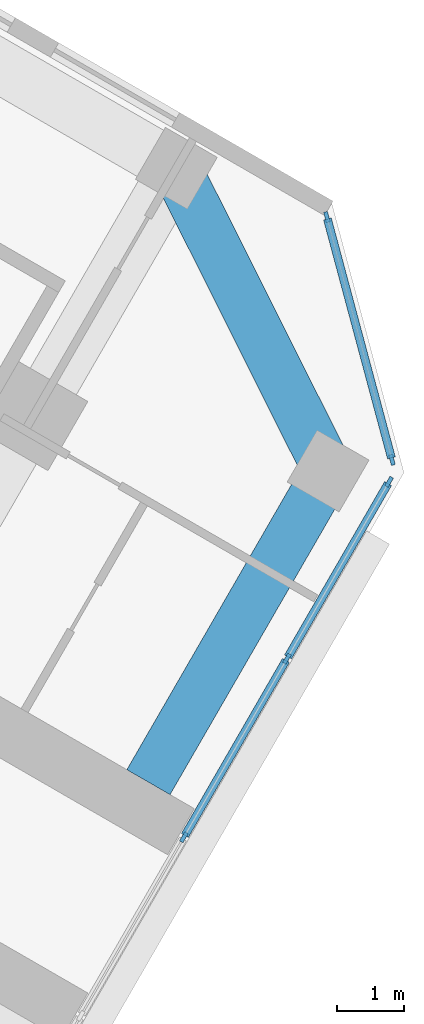
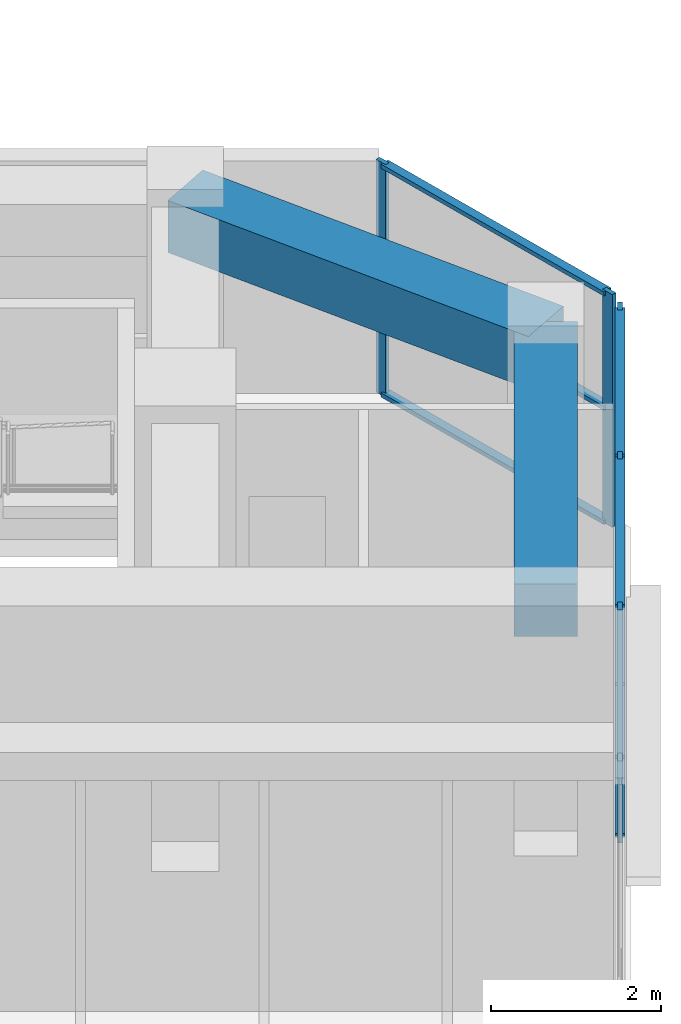
# One storey, part 8 of 19: 12 members, 2 beams, 2 elements without a shape of their own.
"""IFC4 building model written with IfcOpenShell, lengths in metres."""

from ifc_helpers import new_model, si_unit, direction, frame, origin, origin_2d, place, context, subcontext, project, spatial, rectangle, extrude, material, material_profile, profile_set, type_object, element, aggregate, save


model = new_model("IFC4")

# Units and contexts
model_context = context("Model", 3, precision=1e-05, world=origin(), true_north=direction((0.0, 1.0)))
body_context = subcontext(model_context, "Body", "Model", "MODEL_VIEW")
ifc_project = project(units=[si_unit("LENGTHUNIT", "METRE"), si_unit("AREAUNIT", "SQUARE_METRE"), si_unit("VOLUMEUNIT", "CUBIC_METRE"), si_unit("PLANEANGLEUNIT", "RADIAN"), si_unit("MASSUNIT", "GRAM", prefix="KILO")], contexts=[model_context])

# Site, building, storey
site_placement = place(None, origin())
site = spatial("IfcSite", under=ifc_project, at=site_placement, CompositionType="ELEMENT")
building_placement = place(site_placement, origin())
building = spatial("IfcBuilding", under=site, at=building_placement, Name="Kosmar Iwan School Tower", CompositionType="ELEMENT")
storey_placement = place(building_placement, frame((0.0, 0.0, 149.0)))
storey = spatial("IfcBuildingStorey", under=building, at=storey_placement, Name="L37", CompositionType="ELEMENT", Elevation=149.0)

# Curtain wall, members
ifc_material_1 = material(Name="Dark glass in black aluminium frame", Category="aluminium")
curtain_wall_type_1 = type_object("IfcCurtainWallType", Name="Tower curtain wall dark glass", PredefinedType="USERDEFINED", material=ifc_material_1)
curtain_wall_1_placement = place(storey_placement, origin())
curtain_wall_1 = element("IfcCurtainWall", 1, at=curtain_wall_1_placement, inside=storey, type_object=curtain_wall_type_1, Name="Curtain wall L37-F03", ObjectType="UNITISED CURTAIN WALL", PredefinedType="USERDEFINED")
ifc_material_2 = material(Name="Black anodised aluminium", Category="aluminium")
ifc_material_profile_1 = material_profile(ifc_material_2, rectangle(XDim=0.06005859375, YDim=0.159912109375, at=origin_2d()), Name="MULLION 60x160")
ifc_profile_set_1 = profile_set([ifc_material_profile_1], Name="Black anodised aluminium")
member_type_1 = type_object("IfcMemberType", Name="Mullion 60x160", PredefinedType="MULLION", material=ifc_profile_set_1)
member_1_placement = place(storey_placement, frame((30.631103515625, -15.8955078125, 0.0), z_axis=(0.0, 0.0, 1.0), x_axis=(-0.866025405329, 0.499999997325, 0.0)))
member_1 = element("IfcMember", 2, at=member_1_placement, type_object=member_type_1, Name="CW1 mullion 4", PredefinedType="MULLION", context=body_context, shape_type="SweptSolid", body=[
    extrude(rectangle(XDim=0.06005859375, YDim=0.159912109375, at=origin_2d()), origin(), (0.0, 0.0, 1.0), 3.35009765625),
])
member_2_placement = place(storey_placement, frame((32.1806640625, -13.21142578125, 0.0), z_axis=(0.0, 0.0, 1.0), x_axis=(-0.866025405329, 0.499999997325, 0.0)))
member_2 = element("IfcMember", 3, at=member_2_placement, type_object=member_type_1, Name="CW1 mullion 5", PredefinedType="MULLION", context=body_context, shape_type="SweptSolid", body=[
    extrude(rectangle(XDim=0.06005859375, YDim=0.159912109375, at=origin_2d()), origin(), (0.0, 0.0, 1.0), 3.35009765625),
])
member_3_placement = place(storey_placement, frame((33.71533203125, -10.55322265625, 0.0), z_axis=(0.0, 0.0, 1.0), x_axis=(-0.866025405329, 0.499999997325, 0.0)))
member_3 = element("IfcMember", 4, at=member_3_placement, type_object=member_type_1, Name="CW1 mullion 6", PredefinedType="MULLION", context=body_context, shape_type="SweptSolid", body=[
    extrude(rectangle(XDim=0.06005859375, YDim=0.159912109375, at=origin_2d()), origin(), (0.0, 0.0, 1.0), 3.35009765625),
])

ifc_material_3 = material(Name="Dark glass in black aluminium frame", Category="aluminium")
curtain_wall_type_2 = type_object("IfcCurtainWallType", Name="Chamfer curtain wall dark glass", PredefinedType="USERDEFINED", material=ifc_material_3)
curtain_wall_2_placement = place(storey_placement, origin())
curtain_wall_2 = element("IfcCurtainWall", 5, at=curtain_wall_2_placement, inside=storey, type_object=curtain_wall_type_2, Name="Curtain wall L37-F04", ObjectType="FACETED CURTAIN WALL", PredefinedType="USERDEFINED")
member_4_placement = place(storey_placement, frame((33.7587890625, -10.2236328125, 0.0), z_axis=(0.0, 0.0, 1.0), x_axis=(-0.965925875495, -0.258818861462, 0.0)))
member_4 = element("IfcMember", 6, at=member_4_placement, type_object=member_type_1, Name="CW2 mullion 1", PredefinedType="MULLION", context=body_context, shape_type="SweptSolid", body=[
    extrude(rectangle(XDim=0.06005859375, YDim=0.159912109375, at=origin_2d()), origin(), (0.0, 0.0, 1.0), 3.35009765625),
])
member_5_placement = place(storey_placement, frame((32.78076171875, -6.5732421875, 0.0), z_axis=(0.0, 0.0, 1.0), x_axis=(-0.965925875495, -0.258818861462, 0.0)))
member_5 = element("IfcMember", 7, at=member_5_placement, type_object=member_type_1, Name="CW2 mullion 2", PredefinedType="MULLION", context=body_context, shape_type="SweptSolid", body=[
    extrude(rectangle(XDim=0.06005859375, YDim=0.159912109375, at=origin_2d()), origin(), (0.0, 0.0, 1.0), 3.35009765625),
])

# Beams
ifc_material_4 = material(Name="Concrete C50/60", Category="concrete")
ifc_material_profile_2 = material_profile(ifc_material_4, rectangle(XDim=0.75, YDim=0.75, at=origin_2d()), Name="RC 750x750")
ifc_profile_set_2 = profile_set([ifc_material_profile_2], Name="Concrete C50/60")
beam_type = type_object("IfcBeamType", Name="RC tip beam 750x750", PredefinedType="BEAM", material=ifc_profile_set_2)
beam_1_placement = place(storey_placement, frame((30.517822265625, -5.841552734375, 2.97509765625), z_axis=(0.44809604203, -0.893985423325, 0.0), x_axis=(0.893985423325, 0.44809604203, 0.0)))
element("IfcBeam", 8, at=beam_1_placement, inside=storey, type_object=beam_type, Name="Tip beam CL", PredefinedType="BEAM", context=body_context, shape_type="SweptSolid", body=[
    extrude(rectangle(XDim=0.75, YDim=0.75, at=origin_2d()), origin(), (0.0, 0.0, 1.0), 5.08935546875),
])
beam_2_placement = place(storey_placement, frame((32.79833984375, -10.391357421875, 2.97509765625), z_axis=(-0.499995103361, -0.866028230842, 0.0), x_axis=(0.866028230842, -0.499995103361, 0.0)))
element("IfcBeam", 9, at=beam_2_placement, inside=storey, type_object=beam_type, Name="Tip beam CL to corridor wall", PredefinedType="BEAM", context=body_context, shape_type="SweptSolid", body=[
    extrude(rectangle(XDim=0.75, YDim=0.75, at=origin_2d()), origin(), (0.0, 0.0, 1.0), 5.39990234375),
])

# Member
ifc_material_5 = material(Name="Black anodised aluminium", Category="aluminium")
ifc_material_profile_3 = material_profile(ifc_material_5, rectangle(XDim=0.1201171875, YDim=0.06005859375, at=origin_2d()), Name="TRANSOM 60x120")
ifc_profile_set_3 = profile_set([ifc_material_profile_3], Name="Black anodised aluminium")
member_type_2 = type_object("IfcMemberType", Name="Transom 60x120", PredefinedType="USERDEFINED", material=ifc_profile_set_3)
member_6_placement = place(storey_placement, frame((30.64599609375, -15.869384765625, 0.030029296875), z_axis=(0.500035348339, 0.866004994449, 0.0), x_axis=(-0.866004994449, 0.500035348339, 0.0)))
member_6 = element("IfcMember", 10, at=member_6_placement, type_object=member_type_2, Name="CW1 transom 4.1", ObjectType="TRANSOM", PredefinedType="USERDEFINED", context=body_context, shape_type="SweptSolid", body=[
    extrude(rectangle(XDim=0.1201171875, YDim=0.06005859375, at=origin_2d()), origin(), (0.0, 0.0, 1.0), 3.039306640625),
])

member_7_placement = place(storey_placement, frame((30.64599609375, -15.869384765625, 3.320068359375), z_axis=(0.500035348339, 0.866004994449, 0.0), x_axis=(-0.866004994449, 0.500035348339, 0.0)))
member_7 = element("IfcMember", 11, at=member_7_placement, type_object=member_type_2, Name="CW1 transom 4.2", ObjectType="TRANSOM", PredefinedType="USERDEFINED", context=body_context, shape_type="SweptSolid", body=[
    extrude(rectangle(XDim=0.1201171875, YDim=0.06005859375, at=origin_2d()), origin(), (0.0, 0.0, 1.0), 3.039306640625),
])

member_8_placement = place(storey_placement, frame((32.19580078125, -13.185302734375, 0.030029296875), z_axis=(0.500022102064, 0.866012642776, 0.0), x_axis=(-0.866012642776, 0.500022102064, 0.0)))
member_8 = element("IfcMember", 12, at=member_8_placement, type_object=member_type_2, Name="CW1 transom 5.1", ObjectType="TRANSOM", PredefinedType="USERDEFINED", context=body_context, shape_type="SweptSolid", body=[
    extrude(rectangle(XDim=0.1201171875, YDim=0.06005859375, at=origin_2d()), origin(), (0.0, 0.0, 1.0), 3.009033203125),
])

member_9_placement = place(storey_placement, frame((32.19580078125, -13.185302734375, 3.320068359375), z_axis=(0.500022102064, 0.866012642776, 0.0), x_axis=(-0.866012642776, 0.500022102064, 0.0)))
member_9 = element("IfcMember", 13, at=member_9_placement, type_object=member_type_2, Name="CW1 transom 5.2", ObjectType="TRANSOM", PredefinedType="USERDEFINED", context=body_context, shape_type="SweptSolid", body=[
    extrude(rectangle(XDim=0.1201171875, YDim=0.06005859375, at=origin_2d()), origin(), (0.0, 0.0, 1.0), 3.009033203125),
])

aggregate(curtain_wall_1, [member_1, member_2, member_3, member_6, member_7, member_8, member_9])

member_10_placement = place(storey_placement, frame((33.7509765625, -10.194580078125, 0.030029296875), z_axis=(-0.258843273983, 0.965919333854, 0.0), x_axis=(-0.965919333854, -0.258843273983, 0.0)))
member_10 = element("IfcMember", 14, at=member_10_placement, type_object=member_type_2, Name="CW2 transom 1.1", ObjectType="TRANSOM", PredefinedType="USERDEFINED", context=body_context, shape_type="SweptSolid", body=[
    extrude(rectangle(XDim=0.1201171875, YDim=0.06005859375, at=origin_2d()), origin(), (0.0, 0.0, 1.0), 3.718994140625),
])

member_11_placement = place(storey_placement, frame((33.7509765625, -10.194580078125, 1.675048828125), z_axis=(-0.258843273983, 0.965919333854, 0.0), x_axis=(-0.965919333854, -0.258843273983, 0.0)))
member_11 = element("IfcMember", 15, at=member_11_placement, type_object=member_type_2, Name="CW2 transom 1.2", ObjectType="TRANSOM", PredefinedType="USERDEFINED", context=body_context, shape_type="SweptSolid", body=[
    extrude(rectangle(XDim=0.1201171875, YDim=0.06005859375, at=origin_2d()), origin(), (0.0, 0.0, 1.0), 3.718994140625),
])

member_12_placement = place(storey_placement, frame((33.7509765625, -10.194580078125, 3.320068359375), z_axis=(-0.258843273983, 0.965919333854, 0.0), x_axis=(-0.965919333854, -0.258843273983, 0.0)))
member_12 = element("IfcMember", 16, at=member_12_placement, type_object=member_type_2, Name="CW2 transom 1.3", ObjectType="TRANSOM", PredefinedType="USERDEFINED", context=body_context, shape_type="SweptSolid", body=[
    extrude(rectangle(XDim=0.1201171875, YDim=0.06005859375, at=origin_2d()), origin(), (0.0, 0.0, 1.0), 3.718994140625),
])

aggregate(curtain_wall_2, [member_4, member_5, member_10, member_11, member_12])

save(model, "model.ifc")
